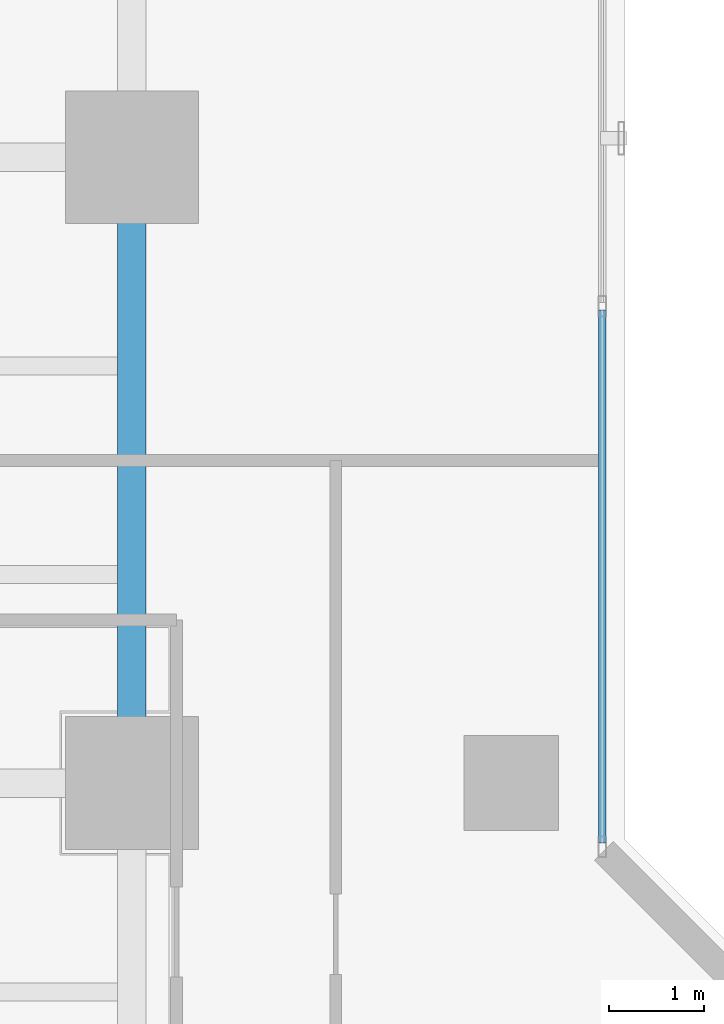
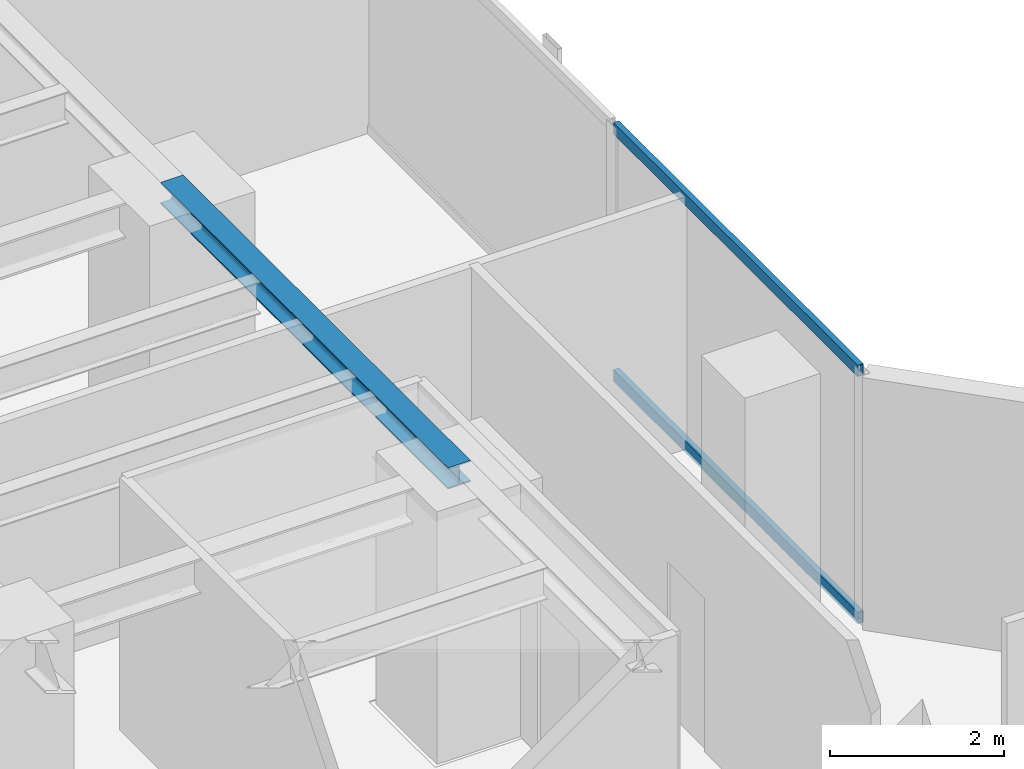
# One storey, part 11 of 29: 2 members, 1 beam, 1 element without a shape of its own.
"""IFC4 building model written with IfcOpenShell, lengths in metres."""

from ifc_helpers import new_model, si_unit, direction, frame, origin, origin_with_axes, origin_2d, place, context, subcontext, project, spatial, hollow_rectangle, i_section, extrude, source, transform, mapped, material, layer, layer_set, material_profile, profile_set, type_object, element, aggregate, save


model = new_model("IFC4")

# Units and contexts
model_context = context("Model", 3, precision=1e-05, world=origin(), true_north=direction((0.0, 1.0)))
body_context = subcontext(model_context, "Body", "Model", "MODEL_VIEW")
ifc_project = project(units=[si_unit("LENGTHUNIT", "METRE"), si_unit("AREAUNIT", "SQUARE_METRE"), si_unit("VOLUMEUNIT", "CUBIC_METRE"), si_unit("PLANEANGLEUNIT", "RADIAN"), si_unit("MASSUNIT", "GRAM", prefix="KILO")], contexts=[model_context])

# Site, building, storey
site_placement = place(None, origin())
site = spatial("IfcSite", under=ifc_project, at=site_placement, CompositionType="ELEMENT")
building_placement = place(site_placement, origin())
building = spatial("IfcBuilding", under=site, at=building_placement, Name="Kolvaren Waterfront Exchange", CompositionType="ELEMENT")
storey_placement = place(building_placement, frame((0.0, 0.0, 129.699951171875)))
storey = spatial("IfcBuildingStorey", under=building, at=storey_placement, Name="L33", CompositionType="ELEMENT", Elevation=129.699951171875)

# Beam
ifc_material_1 = material(Name="Steel S355", Category="steel")
ifc_material_profile_1 = material_profile(ifc_material_1, i_section(OverallWidth=0.300048828125, OverallDepth=0.300048828125, WebThickness=0.010986328125, FlangeThickness=0.01904296875, FilletRadius=0.027099609375, at=origin_2d()), Name="HEB300")
ifc_profile_set_1 = profile_set([ifc_material_profile_1], Name="Steel S355")
beam_type = type_object("IfcBeamType", Name="STR-BM-HEB300", PredefinedType="SPANDREL", material=ifc_profile_set_1)
beam_placement = place(storey_placement, frame((18.800048828125, 31.199951171875, 3.39013671875), z_axis=(0.0, 1.0, 0.0), x_axis=(-1.0, 0.0, 0.0)))
element("IfcBeam", 1, at=beam_placement, inside=storey, type_object=beam_type, Name="L33 north-arm edge beam 2", PredefinedType="SPANDREL", context=body_context, shape_type="SweptSolid", body=[
    extrude(i_section(OverallWidth=0.300048828125, OverallDepth=0.300048828125, WebThickness=0.010986328125, FlangeThickness=0.01904296875, FilletRadius=0.027099609375, at=origin_2d()), origin(), (0.0, 0.0, 1.0), 6.60009765625),
])

# Curtain wall, members
ifc_material_2 = material(Name="Anodised bronze aluminium 6063-T6", Category="aluminium")
ifc_layer = layer(ifc_material_2, 0.219970703125, Name="Anodised bronze aluminium 6063-T6")
ifc_layer_set = layer_set([ifc_layer], Name="Anodised bronze aluminium 6063-T6")
curtain_wall_type = type_object("IfcCurtainWallType", Name="ARC-CW-SYS1", PredefinedType="USERDEFINED", material=ifc_layer_set)
curtain_wall_placement = place(storey_placement, origin())
curtain_wall = element("IfcCurtainWall", 2, at=curtain_wall_placement, inside=storey, type_object=curtain_wall_type, Name="L33 stick curtain wall CW1 (CW-L33-NE)", ObjectType="STICK CURTAIN WALL", PredefinedType="USERDEFINED")
ifc_material_3 = material(Name="Anodised aluminium 6063-T6", Category="aluminium")
ifc_material_profile_2 = material_profile(ifc_material_3, hollow_rectangle(XDim=0.074951171875, YDim=0.159912109375, WallThickness=0.00439453125, at=origin_2d()), Name="ALU-TRN-160x75x4.5")
ifc_profile_set_2 = profile_set([ifc_material_profile_2], Name="Anodised aluminium 6063-T6")
member_type = type_object("IfcMemberType", Name="ARC-CWT-160", PredefinedType="USERDEFINED", material=ifc_profile_set_2)
shared_shape = source(origin_with_axes(), body_context, "Body", "SweptSolid", [
    extrude(hollow_rectangle(XDim=0.074951171875, YDim=0.159912109375, WallThickness=0.00439453125, at=origin_2d()), origin(), (0.0, 0.0, 1.0), 5.61669921875),
])
member_1_placement = place(storey_placement, frame((23.760009765625, 30.570068359375, 0.03759765625), z_axis=(0.0, 1.0, 0.0), x_axis=(-1.0, 0.0, 0.0)))
member_1 = element("IfcMember", 3, at=member_1_placement, type_object=member_type, Name="CW1 transom 1.1", ObjectType="TRANSOM", PredefinedType="USERDEFINED", context=body_context, shape_type="MappedRepresentation", body=[
    mapped(shared_shape, transform((0.0, 0.0, 0.0), x_axis=(1.0, 0.0, 0.0), y_axis=(0.0, 1.0, 0.0), z_axis=(0.0, 0.0, 1.0), scale=1.0)),
])
member_2_placement = place(storey_placement, frame((23.760009765625, 30.570068359375, 3.50244140625), z_axis=(0.0, 1.0, 0.0), x_axis=(-1.0, 0.0, 0.0)))
member_2 = element("IfcMember", 4, at=member_2_placement, type_object=member_type, Name="CW1 transom 1.2", ObjectType="TRANSOM", PredefinedType="USERDEFINED", context=body_context, shape_type="MappedRepresentation", body=[
    mapped(shared_shape, transform((0.0, 0.0, 0.0), x_axis=(1.0, 0.0, 0.0), y_axis=(0.0, 1.0, 0.0), z_axis=(0.0, 0.0, 1.0), scale=1.0)),
])
aggregate(curtain_wall, [member_1, member_2])

save(model, "model.ifc")
